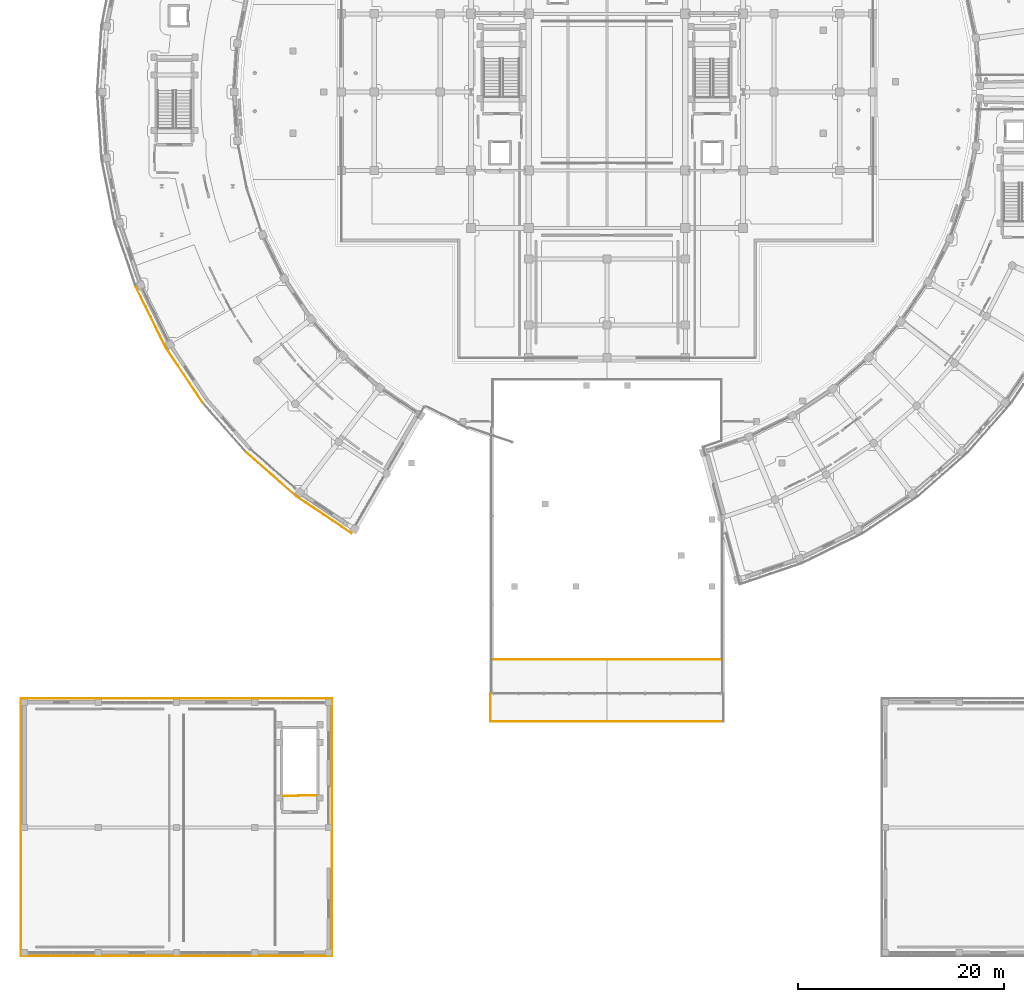
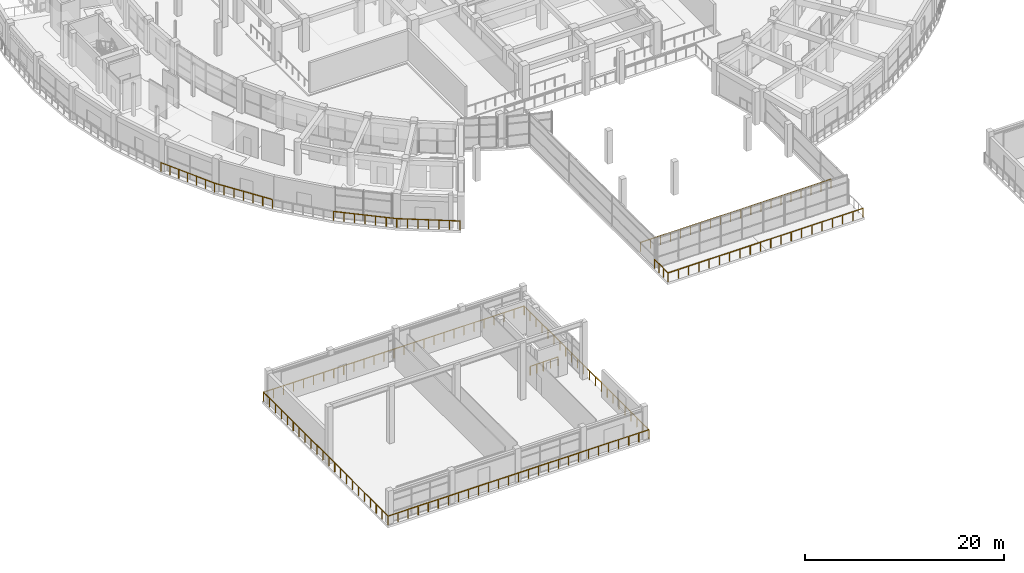
# One storey, part 70 of 87: 13 railings.
"""IFC4 building model written with IfcOpenShell, lengths in metres."""

from ifc_helpers import new_model, si_unit, direction, frame, origin, origin_2d, place, context, subcontext, project, spatial, rectangle, extrude, material, layer, layer_set, type_object, element, save


model = new_model("IFC4")

# Units and contexts
model_context = context("Model", 3, precision=1e-05, world=origin(), true_north=direction((0.0, 1.0)))
body_context = subcontext(model_context, "Body", "Model", "MODEL_VIEW")
ifc_project = project(units=[si_unit("LENGTHUNIT", "METRE"), si_unit("AREAUNIT", "SQUARE_METRE"), si_unit("VOLUMEUNIT", "CUBIC_METRE"), si_unit("PLANEANGLEUNIT", "RADIAN"), si_unit("MASSUNIT", "GRAM", prefix="KILO")], contexts=[model_context])

# Site, building, storey
site_placement = place(None, origin())
site = spatial("IfcSite", under=ifc_project, at=site_placement, CompositionType="ELEMENT")
building_placement = place(site_placement, origin())
building = spatial("IfcBuilding", under=site, at=building_placement, Name="Saryqyr Civic Hall", CompositionType="ELEMENT")
storey_placement = place(building_placement, frame((0.0, 0.0, 5.10009765625)))
storey = spatial("IfcBuildingStorey", under=building, at=storey_placement, Name="L01", CompositionType="ELEMENT", Elevation=5.10009765625)

# Railings
ifc_material = material(Name="Warm brushed brass and laminated glass", Category="glass")
ifc_layer = layer(ifc_material, 0.06005859375, Name="Warm brushed brass and laminated glass")
ifc_layer_set = layer_set([ifc_layer], Name="Warm brushed brass and laminated glass")
railing_type = type_object("IfcRailingType", Name="INT-RLG-BAL-1100", PredefinedType="BALUSTRADE", material=ifc_layer_set)
railing_1_placement = place(storey_placement, frame((28.800048828125, 15.699951171875, 0.0)))
element("IfcRailing", 1, at=railing_1_placement, inside=storey, type_object=railing_type, Name="L01 ST-7 top well guard 1", PredefinedType="BALUSTRADE", context=body_context, shape_type="SweptSolid", body=[
    extrude(rectangle(XDim=0.048095703125, YDim=0.048095703125, at=origin_2d()), frame((0.0, 0.0, 1.076171875), z_axis=(-1.0, 0.0, 0.0), x_axis=(0.0, -1.0, 0.0)), (0.0, 0.0, 1.0), 1.75),
    extrude(rectangle(XDim=0.0419921875, YDim=0.0419921875, at=origin_2d()), origin(), (0.0, 0.0, 1.0), 1.052001953125),
    extrude(rectangle(XDim=0.0419921875, YDim=0.0419921875, at=origin_2d()), frame((-0.875, 0.0, 0.0)), (0.0, 0.0, 1.0), 1.052001953125),
    extrude(rectangle(XDim=0.0419921875, YDim=0.0419921875, at=origin_2d()), frame((-1.75, 0.0, 0.0)), (0.0, 0.0, 1.0), 1.052001953125),
])
railing_2_placement = place(storey_placement, frame((32.166748046875, 41.1875, 0.0)))
element("IfcRailing", 2, at=railing_2_placement, inside=storey, type_object=railing_type, Name="Interior deck safety balustrade L01-008", PredefinedType="BALUSTRADE", context=body_context, shape_type="SweptSolid", body=[
    extrude(rectangle(XDim=0.048095703125, YDim=0.048095703125, at=origin_2d()), frame((0.0, 0.0, 1.09619140625), z_axis=(-0.831454719834, 0.555592520527, 0.0), x_axis=(-0.555592520527, -0.831454719834, 0.0)), (0.0, 0.0, 1.0), 6.374755859375),
    extrude(rectangle(XDim=0.0419921875, YDim=0.0419921875, at=origin_2d()), origin(), (0.0, 0.0, 1.0), 1.072021484375),
    extrude(rectangle(XDim=0.0419921875, YDim=0.0419921875, at=origin_2d()), frame((-0.88330078125, 0.59033203125, 0.0)), (0.0, 0.0, 1.0), 1.072021484375),
    extrude(rectangle(XDim=0.0419921875, YDim=0.0419921875, at=origin_2d()), frame((-1.766845703125, 1.1806640625, 0.0)), (0.0, 0.0, 1.0), 1.072021484375),
    extrude(rectangle(XDim=0.0419921875, YDim=0.0419921875, at=origin_2d()), frame((-2.650146484375, 1.77099609375, 0.0)), (0.0, 0.0, 1.0), 1.072021484375),
    extrude(rectangle(XDim=0.0419921875, YDim=0.0419921875, at=origin_2d()), frame((-3.533447265625, 2.361083984375, 0.0)), (0.0, 0.0, 1.0), 1.072021484375),
    extrude(rectangle(XDim=0.0419921875, YDim=0.0419921875, at=origin_2d()), frame((-4.4169921875, 2.951416015625, 0.0)), (0.0, 0.0, 1.0), 1.072021484375),
    extrude(rectangle(XDim=0.0419921875, YDim=0.0419921875, at=origin_2d()), frame((-5.30029296875, 3.541748046875, 0.0)), (0.0, 0.0, 1.0), 1.072021484375),
])
railing_3_placement = place(storey_placement, frame((26.866455078125, 44.729248046875, 0.0)))
element("IfcRailing", 3, at=railing_3_placement, inside=storey, type_object=railing_type, Name="Interior deck safety balustrade L01-009", PredefinedType="BALUSTRADE", context=body_context, shape_type="SweptSolid", body=[
    extrude(rectangle(XDim=0.048095703125, YDim=0.048095703125, at=origin_2d()), frame((0.0, 0.0, 1.09619140625), z_axis=(-0.751856829228, 0.659326405009, 0.0), x_axis=(-0.659326405009, -0.751856829228, 0.0)), (0.0, 0.0, 1.0), 6.474853515625),
    extrude(rectangle(XDim=0.0419921875, YDim=0.0419921875, at=origin_2d()), origin(), (0.0, 0.0, 1.0), 1.072021484375),
    extrude(rectangle(XDim=0.0419921875, YDim=0.0419921875, at=origin_2d()), frame((-0.811279296875, 0.71142578125, 0.0)), (0.0, 0.0, 1.0), 1.072021484375),
    extrude(rectangle(XDim=0.0419921875, YDim=0.0419921875, at=origin_2d()), frame((-1.622802734375, 1.423095703125, 0.0)), (0.0, 0.0, 1.0), 1.072021484375),
    extrude(rectangle(XDim=0.0419921875, YDim=0.0419921875, at=origin_2d()), frame((-2.43408203125, 2.134521484375, 0.0)), (0.0, 0.0, 1.0), 1.072021484375),
    extrude(rectangle(XDim=0.0419921875, YDim=0.0419921875, at=origin_2d()), frame((-3.245361328125, 2.845947265625, 0.0)), (0.0, 0.0, 1.0), 1.072021484375),
    extrude(rectangle(XDim=0.0419921875, YDim=0.0419921875, at=origin_2d()), frame((-4.056884765625, 3.5576171875, 0.0)), (0.0, 0.0, 1.0), 1.072021484375),
    extrude(rectangle(XDim=0.0419921875, YDim=0.0419921875, at=origin_2d()), frame((-4.8681640625, 4.26904296875, 0.0)), (0.0, 0.0, 1.0), 1.072021484375),
])
railing_4_placement = place(storey_placement, frame((17.729248046875, 53.866455078125, 0.0)))
element("IfcRailing", 4, at=railing_4_placement, inside=storey, type_object=railing_type, Name="Interior deck safety balustrade L01-011", PredefinedType="BALUSTRADE", context=body_context, shape_type="SweptSolid", body=[
    extrude(rectangle(XDim=0.048095703125, YDim=0.048095703125, at=origin_2d()), frame((0.0, 0.0, 1.09619140625), z_axis=(-0.55559611415, 0.831452318502, 0.0), x_axis=(-0.831452318502, -0.55559611415, 0.0)), (0.0, 0.0, 1.0), 6.474853515625),
    extrude(rectangle(XDim=0.0419921875, YDim=0.0419921875, at=origin_2d()), origin(), (0.0, 0.0, 1.0), 1.072021484375),
    extrude(rectangle(XDim=0.0419921875, YDim=0.0419921875, at=origin_2d()), frame((-0.599609375, 0.897216796875, 0.0)), (0.0, 0.0, 1.0), 1.072021484375),
    extrude(rectangle(XDim=0.0419921875, YDim=0.0419921875, at=origin_2d()), frame((-1.19921875, 1.79443359375, 0.0)), (0.0, 0.0, 1.0), 1.072021484375),
    extrude(rectangle(XDim=0.0419921875, YDim=0.0419921875, at=origin_2d()), frame((-1.798828125, 2.69189453125, 0.0)), (0.0, 0.0, 1.0), 1.072021484375),
    extrude(rectangle(XDim=0.0419921875, YDim=0.0419921875, at=origin_2d()), frame((-2.398193359375, 3.589111328125, 0.0)), (0.0, 0.0, 1.0), 1.072021484375),
    extrude(rectangle(XDim=0.0419921875, YDim=0.0419921875, at=origin_2d()), frame((-2.997802734375, 4.486328125, 0.0)), (0.0, 0.0, 1.0), 1.072021484375),
    extrude(rectangle(XDim=0.0419921875, YDim=0.0419921875, at=origin_2d()), frame((-3.597412109375, 5.383544921875, 0.0)), (0.0, 0.0, 1.0), 1.072021484375),
])
railing_5_placement = place(storey_placement, frame((14.1318359375, 59.25, 0.0)))
element("IfcRailing", 5, at=railing_5_placement, inside=storey, type_object=railing_type, Name="Interior deck safety balustrade L01-012", PredefinedType="BALUSTRADE", context=body_context, shape_type="SweptSolid", body=[
    extrude(rectangle(XDim=0.048095703125, YDim=0.048095703125, at=origin_2d()), frame((0.0, 0.0, 1.09619140625), z_axis=(-0.442244704557, 0.89689443152, 0.0), x_axis=(-0.89689443152, -0.442244704557, 0.0)), (0.0, 0.0, 1.0), 6.47509765625),
    extrude(rectangle(XDim=0.0419921875, YDim=0.0419921875, at=origin_2d()), origin(), (0.0, 0.0, 1.0), 1.072021484375),
    extrude(rectangle(XDim=0.0419921875, YDim=0.0419921875, at=origin_2d()), frame((-0.477294921875, 0.9677734375, 0.0)), (0.0, 0.0, 1.0), 1.072021484375),
    extrude(rectangle(XDim=0.0419921875, YDim=0.0419921875, at=origin_2d()), frame((-0.95458984375, 1.935791015625, 0.0)), (0.0, 0.0, 1.0), 1.072021484375),
    extrude(rectangle(XDim=0.0419921875, YDim=0.0419921875, at=origin_2d()), frame((-1.431640625, 2.90380859375, 0.0)), (0.0, 0.0, 1.0), 1.072021484375),
    extrude(rectangle(XDim=0.0419921875, YDim=0.0419921875, at=origin_2d()), frame((-1.908935546875, 3.87158203125, 0.0)), (0.0, 0.0, 1.0), 1.072021484375),
    extrude(rectangle(XDim=0.0419921875, YDim=0.0419921875, at=origin_2d()), frame((-2.38623046875, 4.83935546875, 0.0)), (0.0, 0.0, 1.0), 1.072021484375),
    extrude(rectangle(XDim=0.0419921875, YDim=0.0419921875, at=origin_2d()), frame((-2.863525390625, 5.807373046875, 0.0)), (0.0, 0.0, 1.0), 1.072021484375),
])
railing_6_placement = place(storey_placement, frame((68.300048828125, 22.89990234375, 0.0)))
element("IfcRailing", 6, at=railing_6_placement, inside=storey, type_object=railing_type, Name="Interior deck safety balustrade L01-055", PredefinedType="BALUSTRADE", context=body_context, shape_type="SweptSolid", body=[
    extrude(rectangle(XDim=0.048095703125, YDim=0.048095703125, at=origin_2d()), frame((0.0, 0.0, 1.09619140625), z_axis=(-1.0, 0.0, 0.0), x_axis=(0.0, -1.0, 0.0)), (0.0, 0.0, 1.0), 22.60009765625),
    extrude(rectangle(XDim=0.0419921875, YDim=0.0419921875, at=origin_2d()), origin(), (0.0, 0.0, 1.0), 1.072021484375),
    extrude(rectangle(XDim=0.0419921875, YDim=0.0419921875, at=origin_2d()), frame((-1.189453125, 0.0, 0.0)), (0.0, 0.0, 1.0), 1.072021484375),
    extrude(rectangle(XDim=0.0419921875, YDim=0.0419921875, at=origin_2d()), frame((-2.37890625, 0.0, 0.0)), (0.0, 0.0, 1.0), 1.072021484375),
    extrude(rectangle(XDim=0.0419921875, YDim=0.0419921875, at=origin_2d()), frame((-3.568359375, 0.0, 0.0)), (0.0, 0.0, 1.0), 1.072021484375),
    extrude(rectangle(XDim=0.0419921875, YDim=0.0419921875, at=origin_2d()), frame((-4.7578125, 0.0, 0.0)), (0.0, 0.0, 1.0), 1.072021484375),
    extrude(rectangle(XDim=0.0419921875, YDim=0.0419921875, at=origin_2d()), frame((-5.947509765625, 0.0, 0.0)), (0.0, 0.0, 1.0), 1.072021484375),
    extrude(rectangle(XDim=0.0419921875, YDim=0.0419921875, at=origin_2d()), frame((-7.136962890625, 0.0, 0.0)), (0.0, 0.0, 1.0), 1.072021484375),
    extrude(rectangle(XDim=0.0419921875, YDim=0.0419921875, at=origin_2d()), frame((-8.326416015625, 0.0, 0.0)), (0.0, 0.0, 1.0), 1.072021484375),
    extrude(rectangle(XDim=0.0419921875, YDim=0.0419921875, at=origin_2d()), frame((-9.515869140625, 0.0, 0.0)), (0.0, 0.0, 1.0), 1.072021484375),
    extrude(rectangle(XDim=0.0419921875, YDim=0.0419921875, at=origin_2d()), frame((-10.705322265625, 0.0, 0.0)), (0.0, 0.0, 1.0), 1.072021484375),
    extrude(rectangle(XDim=0.0419921875, YDim=0.0419921875, at=origin_2d()), frame((-11.894775390625, 0.0, 0.0)), (0.0, 0.0, 1.0), 1.072021484375),
    extrude(rectangle(XDim=0.0419921875, YDim=0.0419921875, at=origin_2d()), frame((-13.084228515625, 0.0, 0.0)), (0.0, 0.0, 1.0), 1.072021484375),
    extrude(rectangle(XDim=0.0419921875, YDim=0.0419921875, at=origin_2d()), frame((-14.273681640625, 0.0, 0.0)), (0.0, 0.0, 1.0), 1.072021484375),
    extrude(rectangle(XDim=0.0419921875, YDim=0.0419921875, at=origin_2d()), frame((-15.463134765625, 0.0, 0.0)), (0.0, 0.0, 1.0), 1.072021484375),
    extrude(rectangle(XDim=0.0419921875, YDim=0.0419921875, at=origin_2d()), frame((-16.652587890625, 0.0, 0.0)), (0.0, 0.0, 1.0), 1.072021484375),
    extrude(rectangle(XDim=0.0419921875, YDim=0.0419921875, at=origin_2d()), frame((-17.84228515625, 0.0, 0.0)), (0.0, 0.0, 1.0), 1.072021484375),
    extrude(rectangle(XDim=0.0419921875, YDim=0.0419921875, at=origin_2d()), frame((-19.03173828125, 0.0, 0.0)), (0.0, 0.0, 1.0), 1.072021484375),
    extrude(rectangle(XDim=0.0419921875, YDim=0.0419921875, at=origin_2d()), frame((-20.22119140625, 0.0, 0.0)), (0.0, 0.0, 1.0), 1.072021484375),
    extrude(rectangle(XDim=0.0419921875, YDim=0.0419921875, at=origin_2d()), frame((-21.41064453125, 0.0, 0.0)), (0.0, 0.0, 1.0), 1.072021484375),
    extrude(rectangle(XDim=0.0419921875, YDim=0.0419921875, at=origin_2d()), frame((-22.60009765625, 0.0, 0.0)), (0.0, 0.0, 1.0), 1.072021484375),
])
railing_7_placement = place(storey_placement, frame((45.699951171875, 22.89990234375, 0.0)))
element("IfcRailing", 7, at=railing_7_placement, inside=storey, type_object=railing_type, Name="Interior deck safety balustrade L01-056", PredefinedType="BALUSTRADE", context=body_context, shape_type="SweptSolid", body=[
    extrude(rectangle(XDim=0.048095703125, YDim=0.048095703125, at=origin_2d()), frame((0.0, 0.0, 1.09619140625), z_axis=(0.0, 1.0, 0.0), x_axis=(-1.0, 0.0, 0.0)), (0.0, 0.0, 1.0), 2.710205078125),
    extrude(rectangle(XDim=0.0419921875, YDim=0.0419921875, at=origin_2d()), origin(), (0.0, 0.0, 1.0), 1.072021484375),
    extrude(rectangle(XDim=0.0419921875, YDim=0.0419921875, at=origin_2d()), frame((0.0, 0.9033203125, 0.0)), (0.0, 0.0, 1.0), 1.072021484375),
    extrude(rectangle(XDim=0.0419921875, YDim=0.0419921875, at=origin_2d()), frame((0.0, 1.806884765625, 0.0)), (0.0, 0.0, 1.0), 1.072021484375),
    extrude(rectangle(XDim=0.0419921875, YDim=0.0419921875, at=origin_2d()), frame((0.0, 2.710205078125, 0.0)), (0.0, 0.0, 1.0), 1.072021484375),
])
railing_8_placement = place(storey_placement, frame((45.9599609375, 28.89990234375, 0.0)))
element("IfcRailing", 8, at=railing_8_placement, inside=storey, type_object=railing_type, Name="Interior deck safety balustrade L01-075", PredefinedType="BALUSTRADE", context=body_context, shape_type="SweptSolid", body=[
    extrude(rectangle(XDim=0.048095703125, YDim=0.048095703125, at=origin_2d()), frame((0.0, 0.0, 1.09619140625), z_axis=(1.0, 0.0, 0.0), x_axis=(0.0, 1.0, 0.0)), (0.0, 0.0, 1.0), 22.080078125),
    extrude(rectangle(XDim=0.0419921875, YDim=0.0419921875, at=origin_2d()), origin(), (0.0, 0.0, 1.0), 1.072021484375),
    extrude(rectangle(XDim=0.0419921875, YDim=0.0419921875, at=origin_2d()), frame((1.162109375, 0.0, 0.0)), (0.0, 0.0, 1.0), 1.072021484375),
    extrude(rectangle(XDim=0.0419921875, YDim=0.0419921875, at=origin_2d()), frame((2.32421875, 0.0, 0.0)), (0.0, 0.0, 1.0), 1.072021484375),
    extrude(rectangle(XDim=0.0419921875, YDim=0.0419921875, at=origin_2d()), frame((3.486328125, 0.0, 0.0)), (0.0, 0.0, 1.0), 1.072021484375),
    extrude(rectangle(XDim=0.0419921875, YDim=0.0419921875, at=origin_2d()), frame((4.6484375, 0.0, 0.0)), (0.0, 0.0, 1.0), 1.072021484375),
    extrude(rectangle(XDim=0.0419921875, YDim=0.0419921875, at=origin_2d()), frame((5.810546875, 0.0, 0.0)), (0.0, 0.0, 1.0), 1.072021484375),
    extrude(rectangle(XDim=0.0419921875, YDim=0.0419921875, at=origin_2d()), frame((6.97265625, 0.0, 0.0)), (0.0, 0.0, 1.0), 1.072021484375),
    extrude(rectangle(XDim=0.0419921875, YDim=0.0419921875, at=origin_2d()), frame((8.134765625, 0.0, 0.0)), (0.0, 0.0, 1.0), 1.072021484375),
    extrude(rectangle(XDim=0.0419921875, YDim=0.0419921875, at=origin_2d()), frame((9.296875, 0.0, 0.0)), (0.0, 0.0, 1.0), 1.072021484375),
    extrude(rectangle(XDim=0.0419921875, YDim=0.0419921875, at=origin_2d()), frame((10.458984375, 0.0, 0.0)), (0.0, 0.0, 1.0), 1.072021484375),
    extrude(rectangle(XDim=0.0419921875, YDim=0.0419921875, at=origin_2d()), frame((11.62109375, 0.0, 0.0)), (0.0, 0.0, 1.0), 1.072021484375),
    extrude(rectangle(XDim=0.0419921875, YDim=0.0419921875, at=origin_2d()), frame((12.783203125, 0.0, 0.0)), (0.0, 0.0, 1.0), 1.072021484375),
    extrude(rectangle(XDim=0.0419921875, YDim=0.0419921875, at=origin_2d()), frame((13.9453125, 0.0, 0.0)), (0.0, 0.0, 1.0), 1.072021484375),
    extrude(rectangle(XDim=0.0419921875, YDim=0.0419921875, at=origin_2d()), frame((15.107421875, 0.0, 0.0)), (0.0, 0.0, 1.0), 1.072021484375),
    extrude(rectangle(XDim=0.0419921875, YDim=0.0419921875, at=origin_2d()), frame((16.26953125, 0.0, 0.0)), (0.0, 0.0, 1.0), 1.072021484375),
    extrude(rectangle(XDim=0.0419921875, YDim=0.0419921875, at=origin_2d()), frame((17.431640625, 0.0, 0.0)), (0.0, 0.0, 1.0), 1.072021484375),
    extrude(rectangle(XDim=0.0419921875, YDim=0.0419921875, at=origin_2d()), frame((18.59375, 0.0, 0.0)), (0.0, 0.0, 1.0), 1.072021484375),
    extrude(rectangle(XDim=0.0419921875, YDim=0.0419921875, at=origin_2d()), frame((19.755859375, 0.0, 0.0)), (0.0, 0.0, 1.0), 1.072021484375),
    extrude(rectangle(XDim=0.0419921875, YDim=0.0419921875, at=origin_2d()), frame((20.91796875, 0.0, 0.0)), (0.0, 0.0, 1.0), 1.072021484375),
    extrude(rectangle(XDim=0.0419921875, YDim=0.0419921875, at=origin_2d()), frame((22.080078125, 0.0, 0.0)), (0.0, 0.0, 1.0), 1.072021484375),
])
railing_9_placement = place(storey_placement, frame((30.300048828125, 25.10009765625, 0.0)))
element("IfcRailing", 9, at=railing_9_placement, inside=storey, type_object=railing_type, Name="Interior deck safety balustrade L01-091", PredefinedType="BALUSTRADE", context=body_context, shape_type="SweptSolid", body=[
    extrude(rectangle(XDim=0.048095703125, YDim=0.048095703125, at=origin_2d()), frame((0.0, 0.0, 1.09619140625), z_axis=(0.0, -1.0, 0.0), x_axis=(1.0, 0.0, 0.0)), (0.0, 0.0, 1.0), 25.0),
    extrude(rectangle(XDim=0.0419921875, YDim=0.0419921875, at=origin_2d()), origin(), (0.0, 0.0, 1.0), 1.072021484375),
    extrude(rectangle(XDim=0.0419921875, YDim=0.0419921875, at=origin_2d()), frame((0.0, -1.1904296875, 0.0)), (0.0, 0.0, 1.0), 1.072021484375),
    extrude(rectangle(XDim=0.0419921875, YDim=0.0419921875, at=origin_2d()), frame((0.0, -2.380859375, 0.0)), (0.0, 0.0, 1.0), 1.072021484375),
    extrude(rectangle(XDim=0.0419921875, YDim=0.0419921875, at=origin_2d()), frame((0.0, -3.571533203125, 0.0)), (0.0, 0.0, 1.0), 1.072021484375),
    extrude(rectangle(XDim=0.0419921875, YDim=0.0419921875, at=origin_2d()), frame((0.0, -4.761962890625, 0.0)), (0.0, 0.0, 1.0), 1.072021484375),
    extrude(rectangle(XDim=0.0419921875, YDim=0.0419921875, at=origin_2d()), frame((0.0, -5.952392578125, 0.0)), (0.0, 0.0, 1.0), 1.072021484375),
    extrude(rectangle(XDim=0.0419921875, YDim=0.0419921875, at=origin_2d()), frame((0.0, -7.142822265625, 0.0)), (0.0, 0.0, 1.0), 1.072021484375),
    extrude(rectangle(XDim=0.0419921875, YDim=0.0419921875, at=origin_2d()), frame((0.0, -8.333251953125, 0.0)), (0.0, 0.0, 1.0), 1.072021484375),
    extrude(rectangle(XDim=0.0419921875, YDim=0.0419921875, at=origin_2d()), frame((0.0, -9.52392578125, 0.0)), (0.0, 0.0, 1.0), 1.072021484375),
    extrude(rectangle(XDim=0.0419921875, YDim=0.0419921875, at=origin_2d()), frame((0.0, -10.71435546875, 0.0)), (0.0, 0.0, 1.0), 1.072021484375),
    extrude(rectangle(XDim=0.0419921875, YDim=0.0419921875, at=origin_2d()), frame((0.0, -11.90478515625, 0.0)), (0.0, 0.0, 1.0), 1.072021484375),
    extrude(rectangle(XDim=0.0419921875, YDim=0.0419921875, at=origin_2d()), frame((0.0, -13.09521484375, 0.0)), (0.0, 0.0, 1.0), 1.072021484375),
    extrude(rectangle(XDim=0.0419921875, YDim=0.0419921875, at=origin_2d()), frame((0.0, -14.28564453125, 0.0)), (0.0, 0.0, 1.0), 1.072021484375),
    extrude(rectangle(XDim=0.0419921875, YDim=0.0419921875, at=origin_2d()), frame((0.0, -15.47607421875, 0.0)), (0.0, 0.0, 1.0), 1.072021484375),
    extrude(rectangle(XDim=0.0419921875, YDim=0.0419921875, at=origin_2d()), frame((0.0, -16.666748046875, 0.0)), (0.0, 0.0, 1.0), 1.072021484375),
    extrude(rectangle(XDim=0.0419921875, YDim=0.0419921875, at=origin_2d()), frame((0.0, -17.857177734375, 0.0)), (0.0, 0.0, 1.0), 1.072021484375),
    extrude(rectangle(XDim=0.0419921875, YDim=0.0419921875, at=origin_2d()), frame((0.0, -19.047607421875, 0.0)), (0.0, 0.0, 1.0), 1.072021484375),
    extrude(rectangle(XDim=0.0419921875, YDim=0.0419921875, at=origin_2d()), frame((0.0, -20.238037109375, 0.0)), (0.0, 0.0, 1.0), 1.072021484375),
    extrude(rectangle(XDim=0.0419921875, YDim=0.0419921875, at=origin_2d()), frame((0.0, -21.428466796875, 0.0)), (0.0, 0.0, 1.0), 1.072021484375),
    extrude(rectangle(XDim=0.0419921875, YDim=0.0419921875, at=origin_2d()), frame((0.0, -22.619140625, 0.0)), (0.0, 0.0, 1.0), 1.072021484375),
    extrude(rectangle(XDim=0.0419921875, YDim=0.0419921875, at=origin_2d()), frame((0.0, -23.8095703125, 0.0)), (0.0, 0.0, 1.0), 1.072021484375),
    extrude(rectangle(XDim=0.0419921875, YDim=0.0419921875, at=origin_2d()), frame((0.0, -25.0, 0.0)), (0.0, 0.0, 1.0), 1.072021484375),
])
railing_10_placement = place(storey_placement, frame((30.300048828125, 0.10009765625, 0.0)))
element("IfcRailing", 10, at=railing_10_placement, inside=storey, type_object=railing_type, Name="Interior deck safety balustrade L01-092", PredefinedType="BALUSTRADE", context=body_context, shape_type="SweptSolid", body=[
    extrude(rectangle(XDim=0.048095703125, YDim=0.048095703125, at=origin_2d()), frame((0.0, 0.0, 1.09619140625), z_axis=(-1.0, 0.0, 0.0), x_axis=(0.0, -1.0, 0.0)), (0.0, 0.0, 1.0), 30.199951171875),
    extrude(rectangle(XDim=0.0419921875, YDim=0.0419921875, at=origin_2d()), origin(), (0.0, 0.0, 1.0), 1.072021484375),
    extrude(rectangle(XDim=0.0419921875, YDim=0.0419921875, at=origin_2d()), frame((-1.16162109375, 0.0, 0.0)), (0.0, 0.0, 1.0), 1.072021484375),
    extrude(rectangle(XDim=0.0419921875, YDim=0.0419921875, at=origin_2d()), frame((-2.322998046875, 0.0, 0.0)), (0.0, 0.0, 1.0), 1.072021484375),
    extrude(rectangle(XDim=0.0419921875, YDim=0.0419921875, at=origin_2d()), frame((-3.484619140625, 0.0, 0.0)), (0.0, 0.0, 1.0), 1.072021484375),
    extrude(rectangle(XDim=0.0419921875, YDim=0.0419921875, at=origin_2d()), frame((-4.646240234375, 0.0, 0.0)), (0.0, 0.0, 1.0), 1.072021484375),
    extrude(rectangle(XDim=0.0419921875, YDim=0.0419921875, at=origin_2d()), frame((-5.8076171875, 0.0, 0.0)), (0.0, 0.0, 1.0), 1.072021484375),
    extrude(rectangle(XDim=0.0419921875, YDim=0.0419921875, at=origin_2d()), frame((-6.96923828125, 0.0, 0.0)), (0.0, 0.0, 1.0), 1.072021484375),
    extrude(rectangle(XDim=0.0419921875, YDim=0.0419921875, at=origin_2d()), frame((-8.130859375, 0.0, 0.0)), (0.0, 0.0, 1.0), 1.072021484375),
    extrude(rectangle(XDim=0.0419921875, YDim=0.0419921875, at=origin_2d()), frame((-9.292236328125, 0.0, 0.0)), (0.0, 0.0, 1.0), 1.072021484375),
    extrude(rectangle(XDim=0.0419921875, YDim=0.0419921875, at=origin_2d()), frame((-10.453857421875, 0.0, 0.0)), (0.0, 0.0, 1.0), 1.072021484375),
    extrude(rectangle(XDim=0.0419921875, YDim=0.0419921875, at=origin_2d()), frame((-11.615478515625, 0.0, 0.0)), (0.0, 0.0, 1.0), 1.072021484375),
    extrude(rectangle(XDim=0.0419921875, YDim=0.0419921875, at=origin_2d()), frame((-12.77685546875, 0.0, 0.0)), (0.0, 0.0, 1.0), 1.072021484375),
    extrude(rectangle(XDim=0.0419921875, YDim=0.0419921875, at=origin_2d()), frame((-13.9384765625, 0.0, 0.0)), (0.0, 0.0, 1.0), 1.072021484375),
    extrude(rectangle(XDim=0.0419921875, YDim=0.0419921875, at=origin_2d()), frame((-15.10009765625, 0.0, 0.0)), (0.0, 0.0, 1.0), 1.072021484375),
    extrude(rectangle(XDim=0.0419921875, YDim=0.0419921875, at=origin_2d()), frame((-16.261474609375, 0.0, 0.0)), (0.0, 0.0, 1.0), 1.072021484375),
    extrude(rectangle(XDim=0.0419921875, YDim=0.0419921875, at=origin_2d()), frame((-17.423095703125, 0.0, 0.0)), (0.0, 0.0, 1.0), 1.072021484375),
    extrude(rectangle(XDim=0.0419921875, YDim=0.0419921875, at=origin_2d()), frame((-18.58447265625, 0.0, 0.0)), (0.0, 0.0, 1.0), 1.072021484375),
    extrude(rectangle(XDim=0.0419921875, YDim=0.0419921875, at=origin_2d()), frame((-19.74609375, 0.0, 0.0)), (0.0, 0.0, 1.0), 1.072021484375),
    extrude(rectangle(XDim=0.0419921875, YDim=0.0419921875, at=origin_2d()), frame((-20.90771484375, 0.0, 0.0)), (0.0, 0.0, 1.0), 1.072021484375),
    extrude(rectangle(XDim=0.0419921875, YDim=0.0419921875, at=origin_2d()), frame((-22.069091796875, 0.0, 0.0)), (0.0, 0.0, 1.0), 1.072021484375),
    extrude(rectangle(XDim=0.0419921875, YDim=0.0419921875, at=origin_2d()), frame((-23.230712890625, 0.0, 0.0)), (0.0, 0.0, 1.0), 1.072021484375),
    extrude(rectangle(XDim=0.0419921875, YDim=0.0419921875, at=origin_2d()), frame((-24.392333984375, 0.0, 0.0)), (0.0, 0.0, 1.0), 1.072021484375),
    extrude(rectangle(XDim=0.0419921875, YDim=0.0419921875, at=origin_2d()), frame((-25.5537109375, 0.0, 0.0)), (0.0, 0.0, 1.0), 1.072021484375),
    extrude(rectangle(XDim=0.0419921875, YDim=0.0419921875, at=origin_2d()), frame((-26.71533203125, 0.0, 0.0)), (0.0, 0.0, 1.0), 1.072021484375),
    extrude(rectangle(XDim=0.0419921875, YDim=0.0419921875, at=origin_2d()), frame((-27.876953125, 0.0, 0.0)), (0.0, 0.0, 1.0), 1.072021484375),
    extrude(rectangle(XDim=0.0419921875, YDim=0.0419921875, at=origin_2d()), frame((-29.038330078125, 0.0, 0.0)), (0.0, 0.0, 1.0), 1.072021484375),
    extrude(rectangle(XDim=0.0419921875, YDim=0.0419921875, at=origin_2d()), frame((-30.199951171875, 0.0, 0.0)), (0.0, 0.0, 1.0), 1.072021484375),
])
railing_11_placement = place(storey_placement, frame((0.10009765625, 0.10009765625, 0.0)))
element("IfcRailing", 11, at=railing_11_placement, inside=storey, type_object=railing_type, Name="Interior deck safety balustrade L01-093", PredefinedType="BALUSTRADE", context=body_context, shape_type="SweptSolid", body=[
    extrude(rectangle(XDim=0.048095703125, YDim=0.048095703125, at=origin_2d()), frame((0.0, 0.0, 1.09619140625), z_axis=(0.0, 1.0, 0.0), x_axis=(-1.0, 0.0, 0.0)), (0.0, 0.0, 1.0), 25.0),
    extrude(rectangle(XDim=0.0419921875, YDim=0.0419921875, at=origin_2d()), origin(), (0.0, 0.0, 1.0), 1.072021484375),
    extrude(rectangle(XDim=0.0419921875, YDim=0.0419921875, at=origin_2d()), frame((0.0, 1.1904296875, 0.0)), (0.0, 0.0, 1.0), 1.072021484375),
    extrude(rectangle(XDim=0.0419921875, YDim=0.0419921875, at=origin_2d()), frame((0.0, 2.380859375, 0.0)), (0.0, 0.0, 1.0), 1.072021484375),
    extrude(rectangle(XDim=0.0419921875, YDim=0.0419921875, at=origin_2d()), frame((0.0, 3.571533203125, 0.0)), (0.0, 0.0, 1.0), 1.072021484375),
    extrude(rectangle(XDim=0.0419921875, YDim=0.0419921875, at=origin_2d()), frame((0.0, 4.761962890625, 0.0)), (0.0, 0.0, 1.0), 1.072021484375),
    extrude(rectangle(XDim=0.0419921875, YDim=0.0419921875, at=origin_2d()), frame((0.0, 5.952392578125, 0.0)), (0.0, 0.0, 1.0), 1.072021484375),
    extrude(rectangle(XDim=0.0419921875, YDim=0.0419921875, at=origin_2d()), frame((0.0, 7.142822265625, 0.0)), (0.0, 0.0, 1.0), 1.072021484375),
    extrude(rectangle(XDim=0.0419921875, YDim=0.0419921875, at=origin_2d()), frame((0.0, 8.333251953125, 0.0)), (0.0, 0.0, 1.0), 1.072021484375),
    extrude(rectangle(XDim=0.0419921875, YDim=0.0419921875, at=origin_2d()), frame((0.0, 9.52392578125, 0.0)), (0.0, 0.0, 1.0), 1.072021484375),
    extrude(rectangle(XDim=0.0419921875, YDim=0.0419921875, at=origin_2d()), frame((0.0, 10.71435546875, 0.0)), (0.0, 0.0, 1.0), 1.072021484375),
    extrude(rectangle(XDim=0.0419921875, YDim=0.0419921875, at=origin_2d()), frame((0.0, 11.90478515625, 0.0)), (0.0, 0.0, 1.0), 1.072021484375),
    extrude(rectangle(XDim=0.0419921875, YDim=0.0419921875, at=origin_2d()), frame((0.0, 13.09521484375, 0.0)), (0.0, 0.0, 1.0), 1.072021484375),
    extrude(rectangle(XDim=0.0419921875, YDim=0.0419921875, at=origin_2d()), frame((0.0, 14.28564453125, 0.0)), (0.0, 0.0, 1.0), 1.072021484375),
    extrude(rectangle(XDim=0.0419921875, YDim=0.0419921875, at=origin_2d()), frame((0.0, 15.47607421875, 0.0)), (0.0, 0.0, 1.0), 1.072021484375),
    extrude(rectangle(XDim=0.0419921875, YDim=0.0419921875, at=origin_2d()), frame((0.0, 16.666748046875, 0.0)), (0.0, 0.0, 1.0), 1.072021484375),
    extrude(rectangle(XDim=0.0419921875, YDim=0.0419921875, at=origin_2d()), frame((0.0, 17.857177734375, 0.0)), (0.0, 0.0, 1.0), 1.072021484375),
    extrude(rectangle(XDim=0.0419921875, YDim=0.0419921875, at=origin_2d()), frame((0.0, 19.047607421875, 0.0)), (0.0, 0.0, 1.0), 1.072021484375),
    extrude(rectangle(XDim=0.0419921875, YDim=0.0419921875, at=origin_2d()), frame((0.0, 20.238037109375, 0.0)), (0.0, 0.0, 1.0), 1.072021484375),
    extrude(rectangle(XDim=0.0419921875, YDim=0.0419921875, at=origin_2d()), frame((0.0, 21.428466796875, 0.0)), (0.0, 0.0, 1.0), 1.072021484375),
    extrude(rectangle(XDim=0.0419921875, YDim=0.0419921875, at=origin_2d()), frame((0.0, 22.619140625, 0.0)), (0.0, 0.0, 1.0), 1.072021484375),
    extrude(rectangle(XDim=0.0419921875, YDim=0.0419921875, at=origin_2d()), frame((0.0, 23.8095703125, 0.0)), (0.0, 0.0, 1.0), 1.072021484375),
    extrude(rectangle(XDim=0.0419921875, YDim=0.0419921875, at=origin_2d()), frame((0.0, 25.0, 0.0)), (0.0, 0.0, 1.0), 1.072021484375),
])
railing_12_placement = place(storey_placement, frame((0.10009765625, 25.10009765625, 0.0)))
element("IfcRailing", 12, at=railing_12_placement, inside=storey, type_object=railing_type, Name="Interior deck safety balustrade L01-094", PredefinedType="BALUSTRADE", context=body_context, shape_type="SweptSolid", body=[
    extrude(rectangle(XDim=0.048095703125, YDim=0.048095703125, at=origin_2d()), frame((0.0, 0.0, 1.09619140625), z_axis=(1.0, 0.0, 0.0), x_axis=(0.0, 1.0, 0.0)), (0.0, 0.0, 1.0), 30.199951171875),
    extrude(rectangle(XDim=0.0419921875, YDim=0.0419921875, at=origin_2d()), origin(), (0.0, 0.0, 1.0), 1.072021484375),
    extrude(rectangle(XDim=0.0419921875, YDim=0.0419921875, at=origin_2d()), frame((1.16162109375, 0.0, 0.0)), (0.0, 0.0, 1.0), 1.072021484375),
    extrude(rectangle(XDim=0.0419921875, YDim=0.0419921875, at=origin_2d()), frame((2.322998046875, 0.0, 0.0)), (0.0, 0.0, 1.0), 1.072021484375),
    extrude(rectangle(XDim=0.0419921875, YDim=0.0419921875, at=origin_2d()), frame((3.484619140625, 0.0, 0.0)), (0.0, 0.0, 1.0), 1.072021484375),
    extrude(rectangle(XDim=0.0419921875, YDim=0.0419921875, at=origin_2d()), frame((4.646240234375, 0.0, 0.0)), (0.0, 0.0, 1.0), 1.072021484375),
    extrude(rectangle(XDim=0.0419921875, YDim=0.0419921875, at=origin_2d()), frame((5.8076171875, 0.0, 0.0)), (0.0, 0.0, 1.0), 1.072021484375),
    extrude(rectangle(XDim=0.0419921875, YDim=0.0419921875, at=origin_2d()), frame((6.96923828125, 0.0, 0.0)), (0.0, 0.0, 1.0), 1.072021484375),
    extrude(rectangle(XDim=0.0419921875, YDim=0.0419921875, at=origin_2d()), frame((8.130859375, 0.0, 0.0)), (0.0, 0.0, 1.0), 1.072021484375),
    extrude(rectangle(XDim=0.0419921875, YDim=0.0419921875, at=origin_2d()), frame((9.292236328125, 0.0, 0.0)), (0.0, 0.0, 1.0), 1.072021484375),
    extrude(rectangle(XDim=0.0419921875, YDim=0.0419921875, at=origin_2d()), frame((10.453857421875, 0.0, 0.0)), (0.0, 0.0, 1.0), 1.072021484375),
    extrude(rectangle(XDim=0.0419921875, YDim=0.0419921875, at=origin_2d()), frame((11.615478515625, 0.0, 0.0)), (0.0, 0.0, 1.0), 1.072021484375),
    extrude(rectangle(XDim=0.0419921875, YDim=0.0419921875, at=origin_2d()), frame((12.77685546875, 0.0, 0.0)), (0.0, 0.0, 1.0), 1.072021484375),
    extrude(rectangle(XDim=0.0419921875, YDim=0.0419921875, at=origin_2d()), frame((13.9384765625, 0.0, 0.0)), (0.0, 0.0, 1.0), 1.072021484375),
    extrude(rectangle(XDim=0.0419921875, YDim=0.0419921875, at=origin_2d()), frame((15.10009765625, 0.0, 0.0)), (0.0, 0.0, 1.0), 1.072021484375),
    extrude(rectangle(XDim=0.0419921875, YDim=0.0419921875, at=origin_2d()), frame((16.261474609375, 0.0, 0.0)), (0.0, 0.0, 1.0), 1.072021484375),
    extrude(rectangle(XDim=0.0419921875, YDim=0.0419921875, at=origin_2d()), frame((17.423095703125, 0.0, 0.0)), (0.0, 0.0, 1.0), 1.072021484375),
    extrude(rectangle(XDim=0.0419921875, YDim=0.0419921875, at=origin_2d()), frame((18.58447265625, 0.0, 0.0)), (0.0, 0.0, 1.0), 1.072021484375),
    extrude(rectangle(XDim=0.0419921875, YDim=0.0419921875, at=origin_2d()), frame((19.74609375, 0.0, 0.0)), (0.0, 0.0, 1.0), 1.072021484375),
    extrude(rectangle(XDim=0.0419921875, YDim=0.0419921875, at=origin_2d()), frame((20.90771484375, 0.0, 0.0)), (0.0, 0.0, 1.0), 1.072021484375),
    extrude(rectangle(XDim=0.0419921875, YDim=0.0419921875, at=origin_2d()), frame((22.069091796875, 0.0, 0.0)), (0.0, 0.0, 1.0), 1.072021484375),
    extrude(rectangle(XDim=0.0419921875, YDim=0.0419921875, at=origin_2d()), frame((23.230712890625, 0.0, 0.0)), (0.0, 0.0, 1.0), 1.072021484375),
    extrude(rectangle(XDim=0.0419921875, YDim=0.0419921875, at=origin_2d()), frame((24.392333984375, 0.0, 0.0)), (0.0, 0.0, 1.0), 1.072021484375),
    extrude(rectangle(XDim=0.0419921875, YDim=0.0419921875, at=origin_2d()), frame((25.5537109375, 0.0, 0.0)), (0.0, 0.0, 1.0), 1.072021484375),
    extrude(rectangle(XDim=0.0419921875, YDim=0.0419921875, at=origin_2d()), frame((26.71533203125, 0.0, 0.0)), (0.0, 0.0, 1.0), 1.072021484375),
    extrude(rectangle(XDim=0.0419921875, YDim=0.0419921875, at=origin_2d()), frame((27.876953125, 0.0, 0.0)), (0.0, 0.0, 1.0), 1.072021484375),
    extrude(rectangle(XDim=0.0419921875, YDim=0.0419921875, at=origin_2d()), frame((29.038330078125, 0.0, 0.0)), (0.0, 0.0, 1.0), 1.072021484375),
    extrude(rectangle(XDim=0.0419921875, YDim=0.0419921875, at=origin_2d()), frame((30.199951171875, 0.0, 0.0)), (0.0, 0.0, 1.0), 1.072021484375),
])
railing_13_placement = place(storey_placement, frame((25.544921875, 15.64990234375, 0.0)))
element("IfcRailing", 13, at=railing_13_placement, inside=storey, type_object=railing_type, Name="Interior deck safety balustrade L01-095", PredefinedType="BALUSTRADE", context=body_context, shape_type="SweptSolid", body=[
    extrude(rectangle(XDim=0.048095703125, YDim=0.048095703125, at=origin_2d()), frame((0.0, 0.0, 1.09619140625), z_axis=(1.0, 0.0, 0.0), x_axis=(0.0, 1.0, 0.0)), (0.0, 0.0, 1.0), 1.505126953125),
    extrude(rectangle(XDim=0.0419921875, YDim=0.0419921875, at=origin_2d()), origin(), (0.0, 0.0, 1.0), 1.072021484375),
    extrude(rectangle(XDim=0.0419921875, YDim=0.0419921875, at=origin_2d()), frame((0.75244140625, 0.0, 0.0)), (0.0, 0.0, 1.0), 1.072021484375),
    extrude(rectangle(XDim=0.0419921875, YDim=0.0419921875, at=origin_2d()), frame((1.505126953125, 0.0, 0.0)), (0.0, 0.0, 1.0), 1.072021484375),
])

save(model, "model.ifc")
